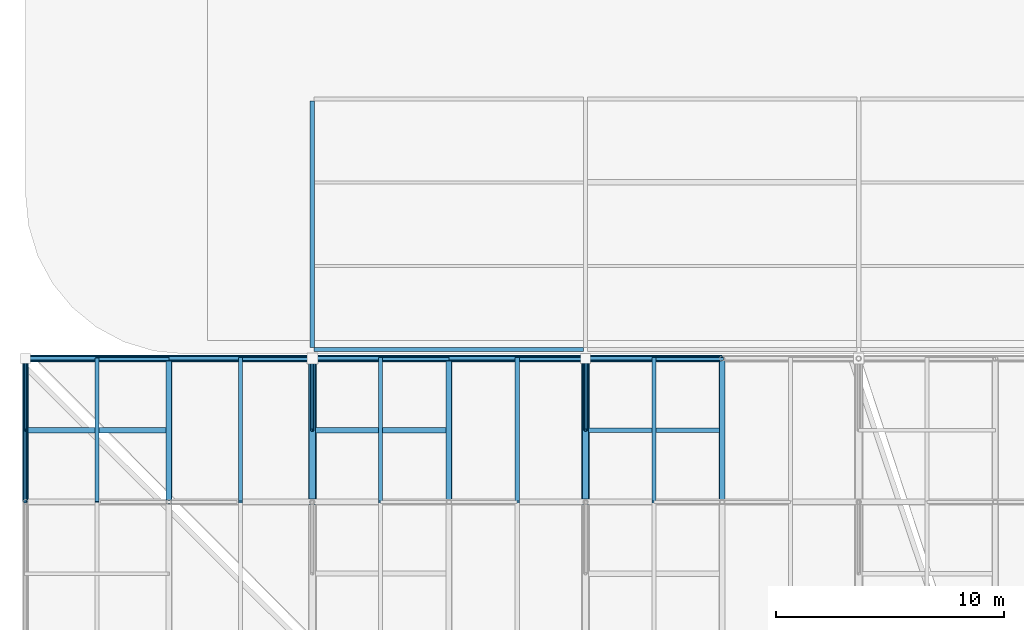
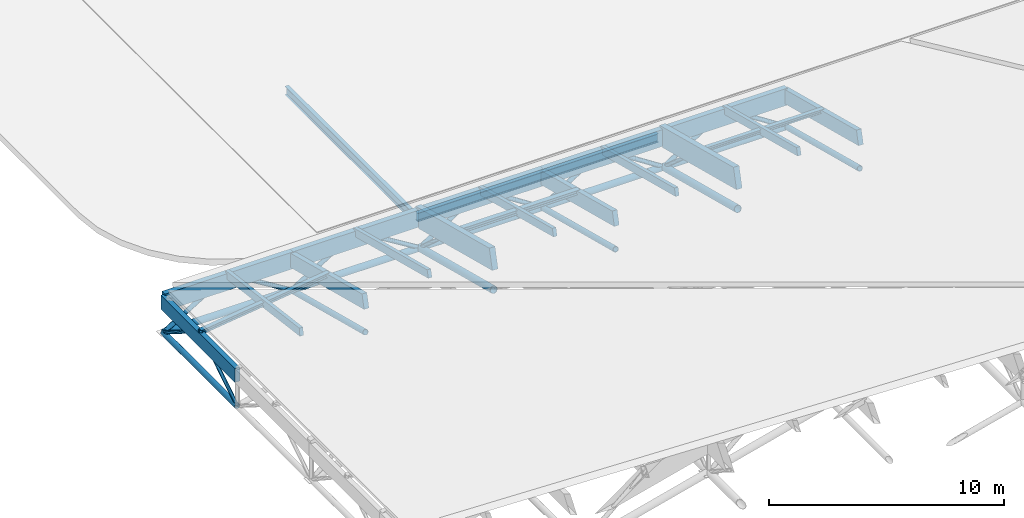
# One storey, part 51 of 80: 44 members, 2 beams.
"""IFC4 building model written with IfcOpenShell, lengths in metres."""

from ifc_helpers import new_model, si_unit, direction, frame, origin, origin_2d, place, context, subcontext, project, spatial, rectangle, hollow_circle, i_section, extrude, material, material_profile, profile_set, type_object, element, save


model = new_model("IFC4")

# Units and contexts
model_context = context("Model", 3, precision=1e-05, world=origin(), true_north=direction((0.0, 1.0)))
body_context = subcontext(model_context, "Body", "Model", "MODEL_VIEW")
ifc_project = project(units=[si_unit("LENGTHUNIT", "METRE"), si_unit("AREAUNIT", "SQUARE_METRE"), si_unit("VOLUMEUNIT", "CUBIC_METRE"), si_unit("PLANEANGLEUNIT", "RADIAN"), si_unit("MASSUNIT", "GRAM", prefix="KILO"), si_unit("THERMODYNAMICTEMPERATUREUNIT", "KELVIN"), si_unit("POWERUNIT", "WATT")], contexts=[model_context])

# Site, building, storey
site_placement = place(None, origin())
site = spatial("IfcSite", under=ifc_project, at=site_placement, CompositionType="ELEMENT")
building_placement = place(site_placement, origin())
building = spatial("IfcBuilding", under=site, at=building_placement, Name="Solmara Park Aquatics Centre", CompositionType="ELEMENT")
storey_placement = place(building_placement, frame((0.0, 0.0, 22.800048828125)))
storey = spatial("IfcBuildingStorey", under=building, at=storey_placement, Name="RF", CompositionType="ELEMENT", Elevation=22.800048828125)

# Beams
ifc_material_1 = material(Name="Structural Steel S355", Category="steel")
ifc_material_profile_1 = material_profile(ifc_material_1, i_section(OverallWidth=0.18994140625, OverallDepth=0.449951171875, WebThickness=0.009521484375, FlangeThickness=0.0146484375, FilletRadius=0.02099609375, at=origin_2d()), Name="IPE 450")
ifc_profile_set_1 = profile_set([ifc_material_profile_1], Name="Structural Steel S355")
beam_type = type_object("IfcBeamType", Name="STR-BM-IPE450", PredefinedType="BEAM", material=ifc_profile_set_1)
beam_1_placement = place(storey_placement, frame((12.679931640625, 85.60009765625, -13.06494140625), z_axis=(1.0, 0.0, 0.0), x_axis=(0.0, 1.0, 0.0)))
element("IfcBeam", 1, at=beam_1_placement, inside=storey, type_object=beam_type, Name="Girder BM-RF-0549", PredefinedType="BEAM", context=body_context, shape_type="SweptSolid", body=[
    extrude(i_section(OverallWidth=0.18994140625, OverallDepth=0.449951171875, WebThickness=0.009521484375, FlangeThickness=0.0146484375, FilletRadius=0.02099609375, at=origin_2d()), origin(), (0.0, 0.0, 1.0), 11.840087890625),
])
beam_2_placement = place(storey_placement, frame((12.60009765625, 85.679931640625, -13.06494140625), z_axis=(0.0, 1.0, 0.0), x_axis=(-1.0, 0.0, 0.0)))
element("IfcBeam", 2, at=beam_2_placement, inside=storey, type_object=beam_type, Name="Girder BM-RF-0557", PredefinedType="BEAM", context=body_context, shape_type="SweptSolid", body=[
    extrude(i_section(OverallWidth=0.18994140625, OverallDepth=0.449951171875, WebThickness=0.009521484375, FlangeThickness=0.0146484375, FilletRadius=0.02099609375, at=origin_2d()), origin(), (0.0, 0.0, 1.0), 10.840087890625),
])

# Members
ifc_material_profile_2 = material_profile(ifc_material_1, hollow_circle(Radius=0.084228515625, WallThickness=0.008056640625, at=origin_2d()), Name="CHS 168.3x8")
ifc_profile_set_2 = profile_set([ifc_material_profile_2], Name="Structural Steel S355")
member_type_1 = type_object("IfcMemberType", Name="STR-BRC-CHS168", PredefinedType="BRACE", material=ifc_profile_set_2)
member_1_placement = place(storey_placement, frame((0.0, 78.89990234375, -14.400146484375), z_axis=(0.0, 0.846650063869, 0.532150044019), x_axis=(-1.0, 0.0, 0.0)))
element("IfcMember", 3, at=member_1_placement, inside=storey, type_object=member_type_1, Name="Roof Truss Web Diagonal Y 2161", PredefinedType="BRACE", context=body_context, shape_type="SweptSolid", body=[
    extrude(hollow_circle(Radius=0.084228515625, WallThickness=0.008056640625, at=origin_2d()), origin(), (0.0, 0.0, 1.0), 3.720703125),
])
member_2_placement = place(storey_placement, frame((0.0, 85.199951171875, -14.400146484375), z_axis=(0.0, -0.846631480792, 0.532179608527), x_axis=(1.0, 0.0, 0.0)))
element("IfcMember", 4, at=member_2_placement, inside=storey, type_object=member_type_1, Name="Roof Truss Web Diagonal Y 2162", PredefinedType="BRACE", context=body_context, shape_type="SweptSolid", body=[
    extrude(hollow_circle(Radius=0.084228515625, WallThickness=0.008056640625, at=origin_2d()), origin(), (0.0, 0.0, 1.0), 3.720458984375),
])
for number, where, z_axis, x_axis, name in (
    (5, (12.60009765625, 85.199951171875, -14.400146484375), (0.0, -0.748026356938, 0.663669020917), (1.0, 0.0, 0.0), "Roof Truss Web Diagonal Y 2163"),
    (6, (24.60009765625, 85.199951171875, -14.400146484375), (0.0, -0.748026356938, 0.663669020917), (1.0, 0.0, 0.0), "Roof Truss Web Diagonal Y 2164"),
):
    element("IfcMember", number, at=place(storey_placement, frame(where, z_axis=z_axis, x_axis=x_axis)), inside=storey, type_object=member_type_1, Name=name, PredefinedType="BRACE", context=body_context, shape_type="SweptSolid", body=[
        extrude(hollow_circle(Radius=0.084228515625, WallThickness=0.008056640625, at=origin_2d()), origin(), (0.0, 0.0, 1.0), 4.2109375),
    ])
ifc_material_profile_3 = material_profile(ifc_material_1, hollow_circle(Radius=0.109619140625, WallThickness=0.010009765625, at=origin_2d()), Name="CHS 219.1x10")
ifc_profile_set_3 = profile_set([ifc_material_profile_3], Name="Structural Steel S355")
member_type_2 = type_object("IfcMemberType", Name="STR-BRC-CHS219", PredefinedType="BRACE", material=ifc_profile_set_3)
member_3_placement = place(storey_placement, frame((0.0, 85.199951171875, -14.400146484375), z_axis=(0.851442988405, 0.0, 0.524447173218), x_axis=(0.0, 1.0, 0.0)))
element("IfcMember", 7, at=member_3_placement, inside=storey, type_object=member_type_2, Name="Roof Truss Web Diagonal X 1369", PredefinedType="BRACE", context=body_context, shape_type="SweptSolid", body=[
    extrude(hollow_circle(Radius=0.109619140625, WallThickness=0.010009765625, at=origin_2d()), origin(), (0.0, 0.0, 1.0), 3.699462890625),
])
member_4_placement = place(storey_placement, frame((6.300048828125, 85.199951171875, -14.400146484375), z_axis=(-0.851461137937, 0.0, 0.524417706207), x_axis=(0.0, -1.0, 0.0)))
element("IfcMember", 8, at=member_4_placement, inside=storey, type_object=member_type_2, Name="Roof Truss Web Diagonal X 1370", PredefinedType="BRACE", context=body_context, shape_type="SweptSolid", body=[
    extrude(hollow_circle(Radius=0.109619140625, WallThickness=0.010009765625, at=origin_2d()), origin(), (0.0, 0.0, 1.0), 3.69970703125),
])
member_5_placement = place(storey_placement, frame((6.300048828125, 85.199951171875, -14.400146484375), z_axis=(0.851442988405, 0.0, 0.524447173218), x_axis=(0.0, 1.0, 0.0)))
element("IfcMember", 9, at=member_5_placement, inside=storey, type_object=member_type_2, Name="Roof Truss Web Diagonal X 1393", PredefinedType="BRACE", context=body_context, shape_type="SweptSolid", body=[
    extrude(hollow_circle(Radius=0.109619140625, WallThickness=0.010009765625, at=origin_2d()), origin(), (0.0, 0.0, 1.0), 3.699462890625),
])
member_6_placement = place(storey_placement, frame((12.60009765625, 85.199951171875, -14.400146484375), z_axis=(-0.851461137937, 0.0, 0.524417706207), x_axis=(0.0, -1.0, 0.0)))
element("IfcMember", 10, at=member_6_placement, inside=storey, type_object=member_type_2, Name="Roof Truss Web Diagonal X 1394", PredefinedType="BRACE", context=body_context, shape_type="SweptSolid", body=[
    extrude(hollow_circle(Radius=0.109619140625, WallThickness=0.010009765625, at=origin_2d()), origin(), (0.0, 0.0, 1.0), 3.69970703125),
])
for number, where, z_axis, x_axis, name in (
    (11, (12.60009765625, 85.199951171875, -14.400146484375), (0.839696636896, 0.0, 0.543055759555), (0.0, 1.0, 0.0), "Roof Truss Web Diagonal X 1419"),
    (12, (18.60009765625, 85.199951171875, -14.400146484375), (-0.839696636896, 0.0, 0.543055759555), (0.0, -1.0, 0.0), "Roof Truss Web Diagonal X 1420"),
    (13, (18.60009765625, 85.199951171875, -14.400146484375), (0.839696636896, 0.0, 0.543055759555), (0.0, 1.0, 0.0), "Roof Truss Web Diagonal X 1445"),
    (14, (24.60009765625, 85.199951171875, -14.400146484375), (-0.839696636896, 0.0, 0.543055759555), (0.0, -1.0, 0.0), "Roof Truss Web Diagonal X 1446"),
    (15, (24.60009765625, 85.199951171875, -14.400146484375), (0.839696636896, 0.0, 0.543055759555), (0.0, 1.0, 0.0), "Roof Truss Web Diagonal X 1473"),
    (16, (30.60009765625, 85.199951171875, -14.400146484375), (-0.839696636896, 0.0, 0.543055759555), (0.0, -1.0, 0.0), "Roof Truss Web Diagonal X 1474"),
):
    element("IfcMember", number, at=place(storey_placement, frame(where, z_axis=z_axis, x_axis=x_axis)), inside=storey, type_object=member_type_2, Name=name, PredefinedType="BRACE", context=body_context, shape_type="SweptSolid", body=[
        extrude(hollow_circle(Radius=0.109619140625, WallThickness=0.010009765625, at=origin_2d()), origin(), (0.0, 0.0, 1.0), 3.57275390625),
    ])
ifc_material_profile_4 = material_profile(ifc_material_1, hollow_circle(Radius=0.136474609375, WallThickness=0.012451171875, at=origin_2d()), Name="CHS 273x12.5")
ifc_profile_set_4 = profile_set([ifc_material_profile_4], Name="Structural Steel S355")
member_type_3 = type_object("IfcMemberType", Name="STR-CHD-CHS273", PredefinedType="CHORD", material=ifc_profile_set_4)
member_7_placement = place(storey_placement, frame((0.0, 78.89990234375, -14.400146484375), z_axis=(0.0, 1.0, 0.0), x_axis=(-1.0, 0.0, 0.0)))
element("IfcMember", 17, at=member_7_placement, inside=storey, type_object=member_type_3, Name="Steel Roof Truss Bottom Chord Y 0568", PredefinedType="CHORD", context=body_context, shape_type="SweptSolid", body=[
    extrude(hollow_circle(Radius=0.136474609375, WallThickness=0.012451171875, at=origin_2d()), origin(), (0.0, 0.0, 1.0), 6.300048828125),
])
for number, where, z_axis, x_axis, name in (
    (18, (6.300048828125, 78.89990234375, -12.770751953125), (0.0, 0.968144245908, -0.25039312913), (-1.0, 0.0, 0.0), "Steel Roof Truss Bottom Chord Y 0596"),
    (19, (18.60009765625, 78.89990234375, -12.770751953125), (0.0, 0.968144245908, -0.25039312913), (-1.0, 0.0, 0.0), "Steel Roof Truss Bottom Chord Y 0652"),
    (20, (30.60009765625, 78.89990234375, -12.770751953125), (0.0, 0.968144245908, -0.25039312913), (-1.0, 0.0, 0.0), "Steel Roof Truss Bottom Chord Y 0708"),
):
    element("IfcMember", number, at=place(storey_placement, frame(where, z_axis=z_axis, x_axis=x_axis)), inside=storey, type_object=member_type_3, Name=name, PredefinedType="CHORD", context=body_context, shape_type="SweptSolid", body=[
        extrude(hollow_circle(Radius=0.136474609375, WallThickness=0.012451171875, at=origin_2d()), origin(), (0.0, 0.0, 1.0), 6.50732421875),
    ])
ifc_material_profile_5 = material_profile(ifc_material_1, hollow_circle(Radius=0.161865234375, WallThickness=0.01611328125, at=origin_2d()), Name="CHS 323.9x16")
ifc_profile_set_5 = profile_set([ifc_material_profile_5], Name="Structural Steel S355")
member_type_4 = type_object("IfcMemberType", Name="STR-CHD-CHS323", PredefinedType="CHORD", material=ifc_profile_set_5)
for number, where, z_axis, x_axis, name in (
    (21, (0.0, 85.199951171875, -14.400146484375), (1.0, 0.0, 0.0), (0.0, 1.0, 0.0), "Steel Roof Truss Bottom Chord X 0506"),
    (22, (6.300048828125, 85.199951171875, -14.400146484375), (1.0, 0.0, 0.0), (0.0, 1.0, 0.0), "Steel Roof Truss Bottom Chord X 0508"),
):
    element("IfcMember", number, at=place(storey_placement, frame(where, z_axis=z_axis, x_axis=x_axis)), inside=storey, type_object=member_type_4, Name=name, PredefinedType="CHORD", context=body_context, shape_type="SweptSolid", body=[
        extrude(hollow_circle(Radius=0.161865234375, WallThickness=0.01611328125, at=origin_2d()), origin(), (0.0, 0.0, 1.0), 6.300048828125),
    ])
for number, where, z_axis, x_axis, name in (
    (23, (12.60009765625, 85.199951171875, -14.400146484375), (1.0, 0.0, 0.0), (0.0, 1.0, 0.0), "Steel Roof Truss Bottom Chord X 0510"),
    (24, (18.60009765625, 85.199951171875, -14.400146484375), (1.0, 0.0, 0.0), (0.0, 1.0, 0.0), "Steel Roof Truss Bottom Chord X 0512"),
    (25, (24.60009765625, 85.199951171875, -14.400146484375), (1.0, 0.0, 0.0), (0.0, 1.0, 0.0), "Steel Roof Truss Bottom Chord X 0514"),
):
    element("IfcMember", number, at=place(storey_placement, frame(where, z_axis=z_axis, x_axis=x_axis)), inside=storey, type_object=member_type_4, Name=name, PredefinedType="CHORD", context=body_context, shape_type="SweptSolid", body=[
        extrude(hollow_circle(Radius=0.161865234375, WallThickness=0.01611328125, at=origin_2d()), origin(), (0.0, 0.0, 1.0), 6.0),
    ])
ifc_material_profile_6 = material_profile(ifc_material_1, hollow_circle(Radius=0.177734375, WallThickness=0.01611328125, at=origin_2d()), Name="CHS 355.6x16")
ifc_profile_set_6 = profile_set([ifc_material_profile_6], Name="Structural Steel S355")
member_type_5 = type_object("IfcMemberType", Name="STR-CHD-CHS355", PredefinedType="CHORD", material=ifc_profile_set_6)
for number, where, z_axis, x_axis, name in (
    (26, (12.60009765625, 78.89990234375, -12.770751953125), (0.0, 0.968144245908, -0.25039312913), (-1.0, 0.0, 0.0), "Steel Roof Truss Bottom Chord Y 0624"),
    (27, (24.60009765625, 78.89990234375, -12.770751953125), (0.0, 0.968144245908, -0.25039312913), (-1.0, 0.0, 0.0), "Steel Roof Truss Bottom Chord Y 0680"),
):
    element("IfcMember", number, at=place(storey_placement, frame(where, z_axis=z_axis, x_axis=x_axis)), inside=storey, type_object=member_type_5, Name=name, PredefinedType="CHORD", context=body_context, shape_type="SweptSolid", body=[
        extrude(hollow_circle(Radius=0.177734375, WallThickness=0.01611328125, at=origin_2d()), origin(), (0.0, 0.0, 1.0), 6.50732421875),
    ])
ifc_material_2 = material(Name="Glulam Timber GL28h", Category="wood")
ifc_material_profile_7 = material_profile(ifc_material_2, rectangle(XDim=0.239990234375, YDim=0.719970703125, at=origin_2d()), Name="GL28h 240x720")
ifc_profile_set_7 = profile_set([ifc_material_profile_7], Name="Glulam Timber GL28h")
member_type_6 = type_object("IfcMemberType", Name="STR-CHD-GL240x720", PredefinedType="CHORD", material=ifc_profile_set_7)
member_8_placement = place(storey_placement, frame((0.0, 78.89990234375, -12.780029296875), z_axis=(0.0, 1.0, 0.0), x_axis=(-1.0, 0.0, 0.0)))
element("IfcMember", 28, at=member_8_placement, inside=storey, type_object=member_type_6, Name="Glulam Roof Truss Top Chord Y 0567", PredefinedType="CHORD", context=body_context, shape_type="SweptSolid", body=[
    extrude(rectangle(XDim=0.239990234375, YDim=0.719970703125, at=origin_2d()), origin(), (0.0, 0.0, 1.0), 6.300048828125),
])
for number, where, z_axis, x_axis, name in (
    (29, (6.300048828125, 78.89990234375, -11.150634765625), (0.0, 0.968144245908, -0.25039312913), (-1.0, 0.0, 0.0), "Glulam Roof Truss Top Chord Y 0595"),
    (30, (18.60009765625, 78.89990234375, -11.150634765625), (0.0, 0.968144245908, -0.25039312913), (-1.0, 0.0, 0.0), "Glulam Roof Truss Top Chord Y 0651"),
    (31, (30.60009765625, 78.89990234375, -11.150634765625), (0.0, 0.968144245908, -0.25039312913), (-1.0, 0.0, 0.0), "Glulam Roof Truss Top Chord Y 0707"),
):
    element("IfcMember", number, at=place(storey_placement, frame(where, z_axis=z_axis, x_axis=x_axis)), inside=storey, type_object=member_type_6, Name=name, PredefinedType="CHORD", context=body_context, shape_type="SweptSolid", body=[
        extrude(rectangle(XDim=0.239990234375, YDim=0.719970703125, at=origin_2d()), origin(), (0.0, 0.0, 1.0), 6.50732421875),
    ])
ifc_material_profile_8 = material_profile(ifc_material_2, rectangle(XDim=0.260009765625, YDim=0.8798828125, at=origin_2d()), Name="GL28h 260x880")
ifc_profile_set_8 = profile_set([ifc_material_profile_8], Name="Glulam Timber GL28h")
member_type_7 = type_object("IfcMemberType", Name="STR-CHD-GL260x880", PredefinedType="CHORD", material=ifc_profile_set_8)
for number, where, z_axis, x_axis, name in (
    (32, (0.0, 85.199951171875, -12.780029296875), (1.0, 0.0, 0.0), (0.0, 1.0, 0.0), "Glulam Roof Truss Top Chord X 0505"),
    (33, (6.300048828125, 85.199951171875, -12.780029296875), (1.0, 0.0, 0.0), (0.0, 1.0, 0.0), "Glulam Roof Truss Top Chord X 0507"),
):
    element("IfcMember", number, at=place(storey_placement, frame(where, z_axis=z_axis, x_axis=x_axis)), inside=storey, type_object=member_type_7, Name=name, PredefinedType="CHORD", context=body_context, shape_type="SweptSolid", body=[
        extrude(rectangle(XDim=0.260009765625, YDim=0.8798828125, at=origin_2d()), origin(), (0.0, 0.0, 1.0), 6.300048828125),
    ])
for number, where, z_axis, x_axis, name in (
    (34, (12.60009765625, 85.199951171875, -12.780029296875), (1.0, 0.0, 0.0), (0.0, 1.0, 0.0), "Glulam Roof Truss Top Chord X 0509"),
    (35, (18.60009765625, 85.199951171875, -12.780029296875), (1.0, 0.0, 0.0), (0.0, 1.0, 0.0), "Glulam Roof Truss Top Chord X 0511"),
    (36, (24.60009765625, 85.199951171875, -12.780029296875), (1.0, 0.0, 0.0), (0.0, 1.0, 0.0), "Glulam Roof Truss Top Chord X 0513"),
):
    element("IfcMember", number, at=place(storey_placement, frame(where, z_axis=z_axis, x_axis=x_axis)), inside=storey, type_object=member_type_7, Name=name, PredefinedType="CHORD", context=body_context, shape_type="SweptSolid", body=[
        extrude(rectangle(XDim=0.260009765625, YDim=0.8798828125, at=origin_2d()), origin(), (0.0, 0.0, 1.0), 6.0),
    ])
ifc_material_profile_9 = material_profile(ifc_material_2, rectangle(XDim=0.280029296875, YDim=1.0400390625, at=origin_2d()), Name="GL28h 280x1040")
ifc_profile_set_9 = profile_set([ifc_material_profile_9], Name="Glulam Timber GL28h")
member_type_8 = type_object("IfcMemberType", Name="STR-CHD-GL280x1040", PredefinedType="CHORD", material=ifc_profile_set_9)
for number, where, z_axis, x_axis, name in (
    (37, (12.60009765625, 78.89990234375, -11.150634765625), (0.0, 0.968144245908, -0.25039312913), (-1.0, 0.0, 0.0), "Glulam Roof Truss Top Chord Y 0623"),
    (38, (24.60009765625, 78.89990234375, -11.150634765625), (0.0, 0.968144245908, -0.25039312913), (-1.0, 0.0, 0.0), "Glulam Roof Truss Top Chord Y 0679"),
):
    element("IfcMember", number, at=place(storey_placement, frame(where, z_axis=z_axis, x_axis=x_axis)), inside=storey, type_object=member_type_8, Name=name, PredefinedType="CHORD", context=body_context, shape_type="SweptSolid", body=[
        extrude(rectangle(XDim=0.280029296875, YDim=1.0400390625, at=origin_2d()), origin(), (0.0, 0.0, 1.0), 6.50732421875),
    ])
ifc_material_profile_10 = material_profile(ifc_material_2, rectangle(XDim=0.179931640625, YDim=0.39990234375, at=origin_2d()), Name="GL28h 180x400")
ifc_profile_set_10 = profile_set([ifc_material_profile_10], Name="Glulam Timber GL28h")
member_type_9 = type_object("IfcMemberType", Name="STR-PRL-GL180x400", PredefinedType="PURLIN", material=ifc_profile_set_10)
member_9_placement = place(storey_placement, frame((3.14990234375, 78.89990234375, -11.6455078125), z_axis=(0.0, 0.991746997538, -0.128210346204), x_axis=(-1.0, 0.0, 0.0)))
element("IfcMember", 39, at=member_9_placement, inside=storey, type_object=member_type_9, Name="Glulam Roof Purlin 1360", PredefinedType="PURLIN", context=body_context, shape_type="SweptSolid", body=[
    extrude(rectangle(XDim=0.179931640625, YDim=0.39990234375, at=origin_2d()), origin(), (0.0, 0.0, 1.0), 6.3525390625),
])
for number, where, z_axis, x_axis, name in (
    (40, (9.449951171875, 78.89990234375, -10.830810546875), (0.0, 0.96815334027, -0.250357963171), (-1.0, 0.0, 0.0), "Glulam Roof Purlin 1384"),
    (41, (15.60009765625, 78.89990234375, -10.830810546875), (0.0, 0.96815334027, -0.250357963171), (-1.0, 0.0, 0.0), "Glulam Roof Purlin 1408"),
    (42, (21.60009765625, 78.89990234375, -10.830810546875), (0.0, 0.96815334027, -0.250357963171), (-1.0, 0.0, 0.0), "Glulam Roof Purlin 1434"),
    (43, (27.60009765625, 78.89990234375, -10.830810546875), (0.0, 0.96815334027, -0.250357963171), (-1.0, 0.0, 0.0), "Glulam Roof Purlin 1460"),
):
    element("IfcMember", number, at=place(storey_placement, frame(where, z_axis=z_axis, x_axis=x_axis)), inside=storey, type_object=member_type_9, Name=name, PredefinedType="PURLIN", context=body_context, shape_type="SweptSolid", body=[
        extrude(rectangle(XDim=0.179931640625, YDim=0.39990234375, at=origin_2d()), origin(), (0.0, 0.0, 1.0), 6.50732421875),
    ])
ifc_material_profile_11 = material_profile(ifc_material_1, i_section(OverallWidth=0.199951171875, OverallDepth=0.18994140625, WebThickness=0.006591796875, FlangeThickness=0.010009765625, FilletRadius=0.01806640625, at=origin_2d()), Name="HEA 200")
ifc_profile_set_11 = profile_set([ifc_material_profile_11], Name="Structural Steel S355")
member_type_10 = type_object("IfcMemberType", Name="STR-PRL-HEA200", PredefinedType="PURLIN", material=ifc_profile_set_11)
member_10_placement = place(storey_placement, frame((24.60009765625, 82.050048828125, -11.62548828125), z_axis=(1.0, 0.0, 0.0), x_axis=(0.0, 1.0, 0.0)))
element("IfcMember", 44, at=member_10_placement, inside=storey, type_object=member_type_10, Name="Glulam Secondary Roof Purlin 2154", PredefinedType="PURLIN", context=body_context, shape_type="SweptSolid", body=[
    extrude(i_section(OverallWidth=0.199951171875, OverallDepth=0.18994140625, WebThickness=0.006591796875, FlangeThickness=0.010009765625, FilletRadius=0.01806640625, at=origin_2d()), origin(), (0.0, 0.0, 1.0), 6.0),
])
ifc_material_profile_12 = material_profile(ifc_material_1, i_section(OverallWidth=0.219970703125, OverallDepth=0.2099609375, WebThickness=0.007080078125, FlangeThickness=0.010986328125, FilletRadius=0.01806640625, at=origin_2d()), Name="HEA 220")
ifc_profile_set_12 = profile_set([ifc_material_profile_12], Name="Structural Steel S355")
member_type_11 = type_object("IfcMemberType", Name="STR-PRL-HEA220", PredefinedType="PURLIN", material=ifc_profile_set_12)
member_11_placement = place(storey_placement, frame((0.0, 82.050048828125, -12.43994140625), z_axis=(0.991746997538, 0.0, 0.128210346204), x_axis=(0.0, 1.0, 0.0)))
element("IfcMember", 45, at=member_11_placement, inside=storey, type_object=member_type_11, Name="Glulam Secondary Roof Purlin 2152", PredefinedType="PURLIN", context=body_context, shape_type="SweptSolid", body=[
    extrude(i_section(OverallWidth=0.219970703125, OverallDepth=0.2099609375, WebThickness=0.007080078125, FlangeThickness=0.010986328125, FilletRadius=0.01806640625, at=origin_2d()), origin(), (0.0, 0.0, 1.0), 6.3525390625),
])
ifc_material_profile_13 = material_profile(ifc_material_1, i_section(OverallWidth=0.239990234375, OverallDepth=0.22998046875, WebThickness=0.007568359375, FlangeThickness=0.011962890625, FilletRadius=0.02099609375, at=origin_2d()), Name="HEA 240")
ifc_profile_set_13 = profile_set([ifc_material_profile_13], Name="Structural Steel S355")
member_type_12 = type_object("IfcMemberType", Name="STR-PRL-HEA240", PredefinedType="PURLIN", material=ifc_profile_set_13)
member_12_placement = place(storey_placement, frame((12.60009765625, 82.050048828125, -11.62548828125), z_axis=(1.0, 0.0, 0.0), x_axis=(0.0, 1.0, 0.0)))
element("IfcMember", 46, at=member_12_placement, inside=storey, type_object=member_type_12, Name="Glulam Secondary Roof Purlin 2153", PredefinedType="PURLIN", context=body_context, shape_type="SweptSolid", body=[
    extrude(i_section(OverallWidth=0.239990234375, OverallDepth=0.22998046875, WebThickness=0.007568359375, FlangeThickness=0.011962890625, FilletRadius=0.02099609375, at=origin_2d()), origin(), (0.0, 0.0, 1.0), 6.0),
])

save(model, "model.ifc")
